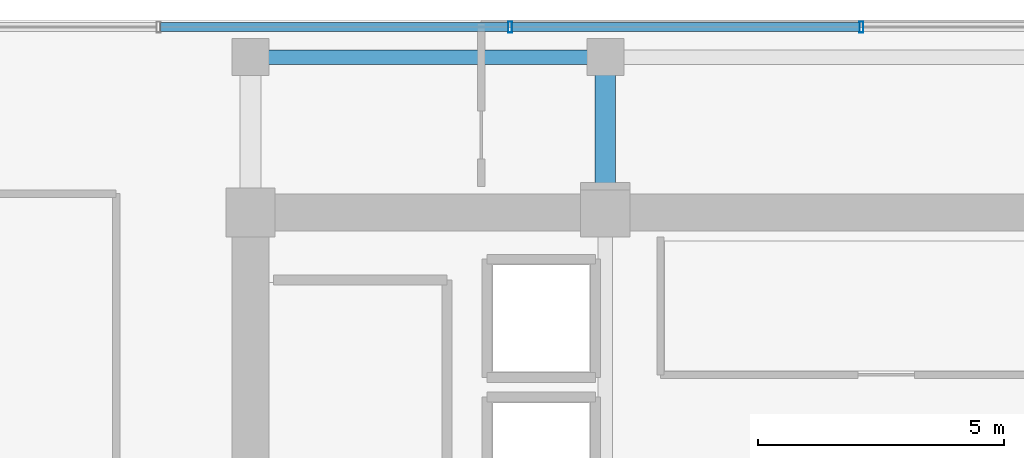
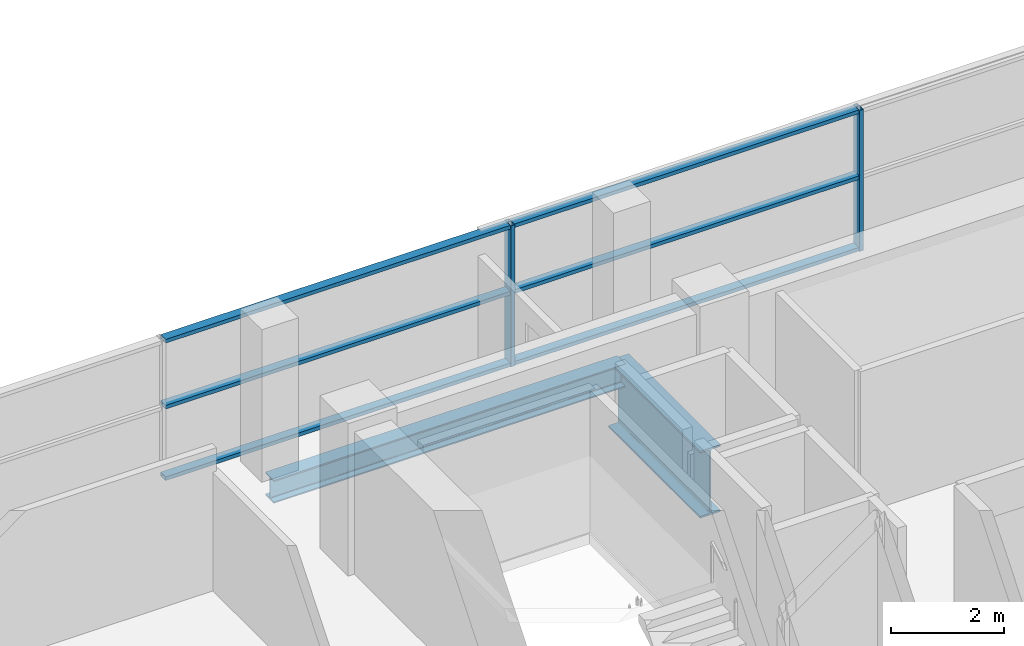
# One storey, part 11 of 23: 8 members, 2 beams, 1 element without a shape of its own.
"""IFC4 building model written with IfcOpenShell, lengths in metres."""

from ifc_helpers import new_model, si_unit, direction, frame, origin, origin_2d, place, context, subcontext, project, spatial, hollow_rectangle, i_section, extrude, source, transform, mapped, material, layer, layer_set, material_profile, profile_set, type_object, element, aggregate, save


model = new_model("IFC4")

# Units and contexts
model_context = context("Model", 3, precision=1e-05, world=origin(), true_north=direction((0.0, 1.0)))
body_context = subcontext(model_context, "Body", "Model", "MODEL_VIEW")
ifc_project = project(units=[si_unit("LENGTHUNIT", "METRE"), si_unit("AREAUNIT", "SQUARE_METRE"), si_unit("VOLUMEUNIT", "CUBIC_METRE"), si_unit("PLANEANGLEUNIT", "RADIAN"), si_unit("MASSUNIT", "GRAM", prefix="KILO")], contexts=[model_context])

# Site, building, storey
site_placement = place(None, origin())
site = spatial("IfcSite", under=ifc_project, at=site_placement, CompositionType="ELEMENT")
building_placement = place(site_placement, origin())
building = spatial("IfcBuilding", under=site, at=building_placement, Name="Zarnakvel Exchange Tower", CompositionType="ELEMENT")
storey_placement = place(building_placement, frame((0.0, 0.0, 146.199951171875)))
storey = spatial("IfcBuildingStorey", under=building, at=storey_placement, Name="L40", CompositionType="ELEMENT", Elevation=146.199951171875)

# Beams
ifc_material_1 = material(Name="Steel S355", Category="steel")
ifc_material_profile_1 = material_profile(ifc_material_1, i_section(OverallWidth=0.300048828125, OverallDepth=0.5, WebThickness=0.014404296875, FlangeThickness=0.028076171875, FilletRadius=0.027099609375, at=origin_2d()))
ifc_profile_set_1 = profile_set([ifc_material_profile_1], Name="Steel S355")
beam_type_1 = type_object("IfcBeamType", Name="SP-02", PredefinedType="SPANDREL", material=ifc_profile_set_1)
beam_1_placement = place(storey_placement, frame((-14.39990234375, 16.64990234375, -0.474853515625), z_axis=(1.0, 0.0, 0.0), x_axis=(0.0, 1.0, 0.0)))
element("IfcBeam", 1, at=beam_1_placement, inside=storey, type_object=beam_type_1, Name="L40 Tower E-W Frame Beam", PredefinedType="SPANDREL", context=body_context, shape_type="SweptSolid", body=[
    extrude(i_section(OverallWidth=0.300048828125, OverallDepth=0.5, WebThickness=0.014404296875, FlangeThickness=0.028076171875, FilletRadius=0.027099609375, at=origin_2d()), origin(), (0.0, 0.0, 1.0), 7.199951171875),
])
ifc_material_2 = material(Name="Steel S460", Category="steel")
ifc_material_profile_2 = material_profile(ifc_material_2, i_section(OverallWidth=0.419921875, OverallDepth=1.449951171875, WebThickness=0.02392578125, FlangeThickness=0.0400390625, FilletRadius=0.030029296875, at=origin_2d()))
ifc_profile_set_2 = profile_set([ifc_material_profile_2], Name="Steel S460")
beam_type_2 = type_object("IfcBeamType", Name="TG-01", PredefinedType="BEAM", material=ifc_profile_set_2)
beam_2_placement = place(storey_placement, frame((-7.199951171875, 13.5, -0.949951171875), z_axis=(0.0, 1.0, 0.0), x_axis=(-1.0, 0.0, 0.0)))
element("IfcBeam", 2, at=beam_2_placement, inside=storey, type_object=beam_type_2, Name="L40 Setback N-S Transfer Girder TN-5", PredefinedType="BEAM", context=body_context, shape_type="SweptSolid", body=[
    extrude(i_section(OverallWidth=0.419921875, OverallDepth=1.449951171875, WebThickness=0.02392578125, FlangeThickness=0.0400390625, FilletRadius=0.030029296875, at=origin_2d()), origin(), (0.0, 0.0, 1.0), 3.25),
])

# Curtain wall, members
ifc_material_3 = material(Name="Architectural Bronze Anodised Aluminium", Category="aluminium")
ifc_layer = layer(ifc_material_3, 0.219970703125)
ifc_layer_set = layer_set([ifc_layer], Name="Architectural Bronze Anodised Aluminium")
curtain_wall_type = type_object("IfcCurtainWallType", Name="CW-03", PredefinedType="NOTDEFINED", material=ifc_layer_set)
curtain_wall_placement = place(storey_placement, origin())
curtain_wall = element("IfcCurtainWall", 3, at=curtain_wall_placement, inside=storey, type_object=curtain_wall_type, Name="L40 Curtain Wall CW-L40-N1 (CW-03)", PredefinedType="NOTDEFINED")
ifc_material_profile_3 = material_profile(ifc_material_3, hollow_rectangle(XDim=0.219970703125, YDim=0.080078125, WallThickness=0.0048828125, at=origin_2d()))
ifc_profile_set_3 = profile_set([ifc_material_profile_3], Name="Architectural Bronze Anodised Aluminium")
member_type_1 = type_object("IfcMemberType", Name="CWM-03", PredefinedType="MULLION", material=ifc_profile_set_3)
shared_shape_1 = source(origin(), body_context, "Body", "SweptSolid", [
    extrude(hollow_rectangle(XDim=0.219970703125, YDim=0.080078125, WallThickness=0.0048828125, at=origin_2d()), origin(), (0.0, 0.0, 1.0), 3.054931640625),
])
member_1_placement = place(storey_placement, frame((-9.13330078125, 17.260009765625, 0.0), z_axis=(0.0, 0.0, 1.0), x_axis=(0.0, 1.0, 0.0)))
member_1 = element("IfcMember", 4, at=member_1_placement, type_object=member_type_1, Name="CW-03 mullion 3", PredefinedType="MULLION", context=body_context, shape_type="MappedRepresentation", body=[
    mapped(shared_shape_1, transform((0.0, 0.0, 0.0), x_axis=(1.0, 0.0, 0.0), y_axis=(0.0, 1.0, 0.0), z_axis=(0.0, 0.0, 1.0), scale=1.0)),
])
member_2_placement = place(storey_placement, frame((-2.0, 17.260009765625, 0.0), z_axis=(0.0, 0.0, 1.0), x_axis=(0.0, 1.0, 0.0)))
member_2 = element("IfcMember", 5, at=member_2_placement, type_object=member_type_1, Name="CW-03 mullion 4", PredefinedType="MULLION", context=body_context, shape_type="MappedRepresentation", body=[
    mapped(shared_shape_1, transform((0.0, 0.0, 0.0), x_axis=(1.0, 0.0, 0.0), y_axis=(0.0, 1.0, 0.0), z_axis=(0.0, 0.0, 1.0), scale=1.0)),
])
ifc_material_profile_4 = material_profile(ifc_material_3, hollow_rectangle(XDim=0.179931640625, YDim=0.080078125, WallThickness=0.00390625, at=origin_2d()))
ifc_profile_set_4 = profile_set([ifc_material_profile_4], Name="Architectural Bronze Anodised Aluminium")
member_type_2 = type_object("IfcMemberType", Name="CWT-03", PredefinedType="USERDEFINED", material=ifc_profile_set_4)
shared_shape_2 = source(origin(), body_context, "Body", "SweptSolid", [
    extrude(hollow_rectangle(XDim=0.179931640625, YDim=0.080078125, WallThickness=0.00390625, at=origin_2d()), origin(), (0.0, 0.0, 1.0), 7.05322265625),
])
member_3_placement = place(storey_placement, frame((-16.2265625, 17.260009765625, 0.0400390625), z_axis=(1.0, 0.0, 0.0), x_axis=(0.0, 1.0, 0.0)))
member_3 = element("IfcMember", 6, at=member_3_placement, type_object=member_type_2, Name="CW-03 transom 2.1", ObjectType="TRANSOM", PredefinedType="USERDEFINED", context=body_context, shape_type="MappedRepresentation", body=[
    mapped(shared_shape_2, transform((0.0, 0.0, 0.0), x_axis=(1.0, 0.0, 0.0), y_axis=(0.0, 1.0, 0.0), z_axis=(0.0, 0.0, 1.0), scale=1.0)),
])
member_4_placement = place(storey_placement, frame((-16.2265625, 17.260009765625, 1.588623046875), z_axis=(1.0, 0.0, 0.0), x_axis=(0.0, 1.0, 0.0)))
member_4 = element("IfcMember", 7, at=member_4_placement, type_object=member_type_2, Name="CW-03 transom 2.2", ObjectType="TRANSOM", PredefinedType="USERDEFINED", context=body_context, shape_type="MappedRepresentation", body=[
    mapped(shared_shape_2, transform((0.0, 0.0, 0.0), x_axis=(1.0, 0.0, 0.0), y_axis=(0.0, 1.0, 0.0), z_axis=(0.0, 0.0, 1.0), scale=1.0)),
])
member_5_placement = place(storey_placement, frame((-16.2265625, 17.260009765625, 3.01513671875), z_axis=(1.0, 0.0, 0.0), x_axis=(0.0, 1.0, 0.0)))
member_5 = element("IfcMember", 8, at=member_5_placement, type_object=member_type_2, Name="CW-03 transom 2.3", ObjectType="TRANSOM", PredefinedType="USERDEFINED", context=body_context, shape_type="MappedRepresentation", body=[
    mapped(shared_shape_2, transform((0.0, 0.0, 0.0), x_axis=(1.0, 0.0, 0.0), y_axis=(0.0, 1.0, 0.0), z_axis=(0.0, 0.0, 1.0), scale=1.0)),
])
member_6_placement = place(storey_placement, frame((-9.09326171875, 17.260009765625, 0.0400390625), z_axis=(1.0, 0.0, 0.0), x_axis=(0.0, 1.0, 0.0)))
member_6 = element("IfcMember", 9, at=member_6_placement, type_object=member_type_2, Name="CW-03 transom 3.1", ObjectType="TRANSOM", PredefinedType="USERDEFINED", context=body_context, shape_type="MappedRepresentation", body=[
    mapped(shared_shape_2, transform((0.0, 0.0, 0.0), x_axis=(1.0, 0.0, 0.0), y_axis=(0.0, 1.0, 0.0), z_axis=(0.0, 0.0, 1.0), scale=1.0)),
])
member_7_placement = place(storey_placement, frame((-9.09326171875, 17.260009765625, 1.588623046875), z_axis=(1.0, 0.0, 0.0), x_axis=(0.0, 1.0, 0.0)))
member_7 = element("IfcMember", 10, at=member_7_placement, type_object=member_type_2, Name="CW-03 transom 3.2", ObjectType="TRANSOM", PredefinedType="USERDEFINED", context=body_context, shape_type="MappedRepresentation", body=[
    mapped(shared_shape_2, transform((0.0, 0.0, 0.0), x_axis=(1.0, 0.0, 0.0), y_axis=(0.0, 1.0, 0.0), z_axis=(0.0, 0.0, 1.0), scale=1.0)),
])
member_8_placement = place(storey_placement, frame((-9.09326171875, 17.260009765625, 3.01513671875), z_axis=(1.0, 0.0, 0.0), x_axis=(0.0, 1.0, 0.0)))
member_8 = element("IfcMember", 11, at=member_8_placement, type_object=member_type_2, Name="CW-03 transom 3.3", ObjectType="TRANSOM", PredefinedType="USERDEFINED", context=body_context, shape_type="MappedRepresentation", body=[
    mapped(shared_shape_2, transform((0.0, 0.0, 0.0), x_axis=(1.0, 0.0, 0.0), y_axis=(0.0, 1.0, 0.0), z_axis=(0.0, 0.0, 1.0), scale=1.0)),
])
aggregate(curtain_wall, [member_1, member_2, member_3, member_4, member_5, member_6, member_7, member_8])

save(model, "model.ifc")
